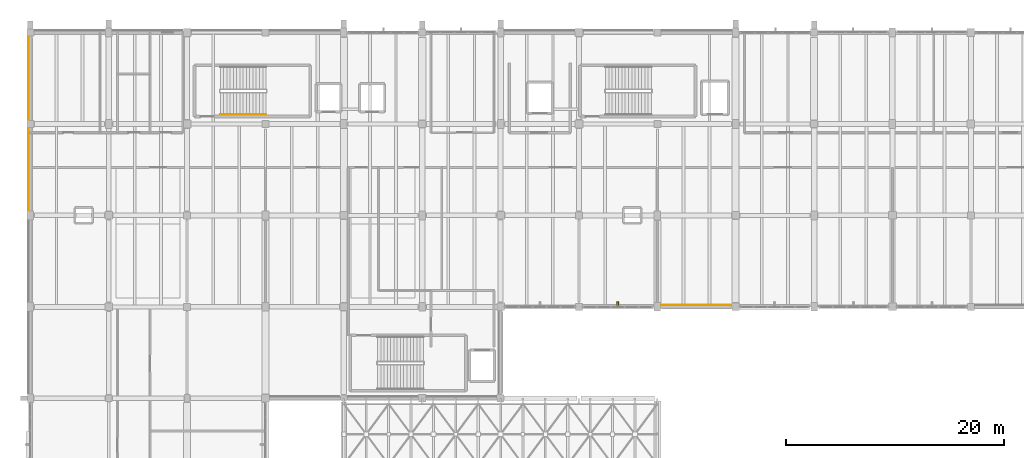
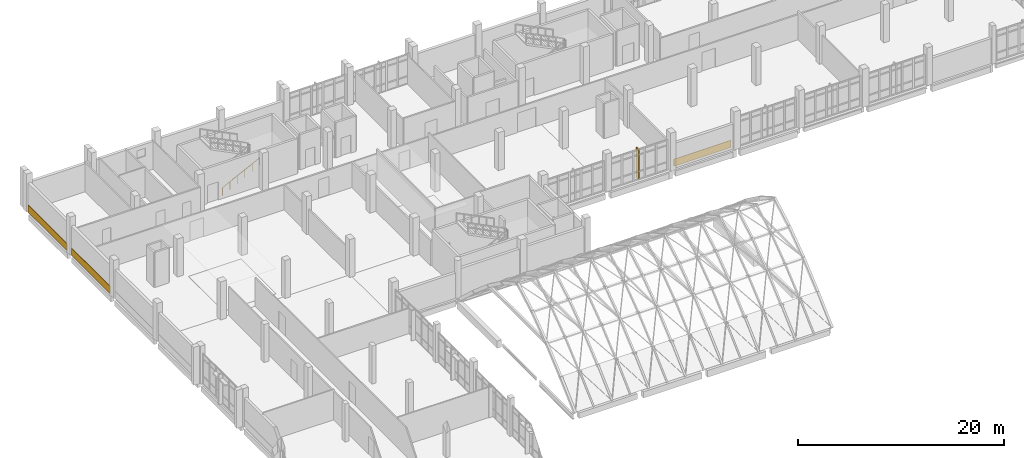
# One storey, part 85 of 87: 3 coverings, 1 railing, 1 shading device.
"""IFC4 building model written with IfcOpenShell, lengths in metres."""

from ifc_helpers import new_model, si_unit, direction, frame, origin, origin_2d, place, context, subcontext, project, spatial, rectangle, circle, extrude, material, layer, layer_set, type_object, element, save


model = new_model("IFC4")

# Units and contexts
model_context = context("Model", 3, precision=1e-05, world=origin(), true_north=direction((0.0, 1.0)))
body_context = subcontext(model_context, "Body", "Model", "MODEL_VIEW")
ifc_project = project(units=[si_unit("LENGTHUNIT", "METRE"), si_unit("AREAUNIT", "SQUARE_METRE"), si_unit("VOLUMEUNIT", "CUBIC_METRE"), si_unit("PLANEANGLEUNIT", "RADIAN"), si_unit("MASSUNIT", "GRAM", prefix="KILO")], contexts=[model_context])

# Site, building, storey
site_placement = place(None, origin())
site = spatial("IfcSite", under=ifc_project, at=site_placement, CompositionType="ELEMENT")
building_placement = place(site_placement, origin())
building = spatial("IfcBuilding", under=site, at=building_placement, Name="Kalluvel Institute of Natural Sciences", CompositionType="ELEMENT")
storey_placement = place(building_placement, frame((0.0, 0.0, 18.89990234375)))
storey = spatial("IfcBuildingStorey", under=building, at=storey_placement, Name="L04", CompositionType="ELEMENT", Elevation=18.89990234375)

# Coverings
ifc_material_1 = material(Name="Sadarahalli Grey Granite Ashlar Concrete M40", Category="masonry")
ifc_layer = layer(ifc_material_1, 0.044921875)
ifc_layer_set = layer_set([ifc_layer], Name="Sadarahalli Grey Granite Ashlar Concrete M40")
covering_type = type_object("IfcCoveringType", Name="COV-CLAD-STONE", PredefinedType="CLADDING", material=ifc_layer_set)
covering_1_placement = place(storey_placement, frame((75.175048828125, 102.969970703125, 0.025146484375), z_axis=(0.0, 0.0, 1.0), x_axis=(1.0, 0.0, 0.0)))
element("IfcCovering", 1, at=covering_1_placement, inside=storey, type_object=covering_type, Name="L04 Sadarahalli granite plinth spandrel cladding 54", PredefinedType="CLADDING", context=body_context, shape_type="SweptSolid", body=[
    extrude(rectangle(XDim=6.389892578125, YDim=0.044921875, at=origin_2d()), origin(), (0.0, 0.0, 1.0), 0.85009765625),
])
covering_2_placement = place(storey_placement, frame((13.820068359375, 115.4375, 0.025146484375), z_axis=(0.0, 0.0, 1.0), x_axis=(0.0, 1.0, 0.0)))
element("IfcCovering", 2, at=covering_2_placement, inside=storey, type_object=covering_type, Name="L04 Sadarahalli granite plinth spandrel cladding 57", PredefinedType="CLADDING", context=body_context, shape_type="SweptSolid", body=[
    extrude(rectangle(XDim=7.514892578125, YDim=0.044921875, at=origin_2d()), origin(), (0.0, 0.0, 1.0), 0.85009765625),
])
covering_3_placement = place(storey_placement, frame((13.820068359375, 123.800048828125, 0.025146484375), z_axis=(0.0, 0.0, 1.0), x_axis=(0.0, 1.0, 0.0)))
element("IfcCovering", 3, at=covering_3_placement, inside=storey, type_object=covering_type, Name="L04 Sadarahalli granite plinth spandrel cladding 58", PredefinedType="CLADDING", context=body_context, shape_type="SweptSolid", body=[
    extrude(rectangle(XDim=7.590087890625, YDim=0.044921875, at=origin_2d()), origin(), (0.0, 0.0, 1.0), 0.85009765625),
])

# Railing
ifc_material_2 = material(Name="Galvanized Fire-Rated Steel", Category="steel")
railing_type = type_object("IfcRailingType", Name="RL-HR-STAIR", PredefinedType="HANDRAIL", material=ifc_material_2)
railing_placement = place(storey_placement, frame((31.449951171875, 120.449951171875, 0.150146484375)))
element("IfcRailing", 4, at=railing_placement, inside=storey, type_object=railing_type, Name="L04 ST1 stair handrail 1", PredefinedType="HANDRAIL", context=body_context, shape_type="SweptSolid", body=[
    extrude(circle(Radius=0.02392578125, at=origin_2d()), frame((0.0, 0.0, 0.89599609375), z_axis=(0.894437589381, 0.0, 0.447192798132), x_axis=(0.0, 1.0, 0.0)), (0.0, 0.0, 1.0), 4.695556640625),
    extrude(circle(Radius=0.02099609375, at=origin_2d()), origin(), (0.0, 0.0, 1.0), 0.871826171875),
    extrude(circle(Radius=0.02099609375, at=origin_2d()), frame((0.840087890625, 0.0, 0.419921875)), (0.0, 0.0, 1.0), 0.871826171875),
    extrude(circle(Radius=0.02099609375, at=origin_2d()), frame((1.679931640625, 0.0, 0.83984375)), (0.0, 0.0, 1.0), 0.871826171875),
    extrude(circle(Radius=0.02099609375, at=origin_2d()), frame((2.52001953125, 0.0, 1.260009765625)), (0.0, 0.0, 1.0), 0.871826171875),
    extrude(circle(Radius=0.02099609375, at=origin_2d()), frame((3.35986328125, 0.0, 1.679931640625)), (0.0, 0.0, 1.0), 0.871826171875),
    extrude(circle(Radius=0.02099609375, at=origin_2d()), frame((4.199951171875, 0.0, 2.099853515625)), (0.0, 0.0, 1.0), 0.871826171875),
])

# Shading device
shading_device_type = type_object("IfcShadingDeviceType", Name="SHD-FIN-STONE", PredefinedType="USERDEFINED", material=ifc_material_1)
shading_device_placement = place(storey_placement, frame((67.96240234375, 103.02001953125, 0.0), z_axis=(0.0, 0.0, 1.0), x_axis=(1.0, 0.0, 0.0)))
element("IfcShadingDevice", 5, at=shading_device_placement, inside=storey, type_object=shading_device_type, Name="L04 monsoon lancet shading fin 53", ObjectType="MONSOON FIN", PredefinedType="USERDEFINED", context=body_context, shape_type="SweptSolid", body=[
    extrude(rectangle(XDim=0.139892578125, YDim=0.47998046875, at=origin_2d()), origin(), (0.0, 0.0, 1.0), 3.530029296875),
])

save(model, "model.ifc")
